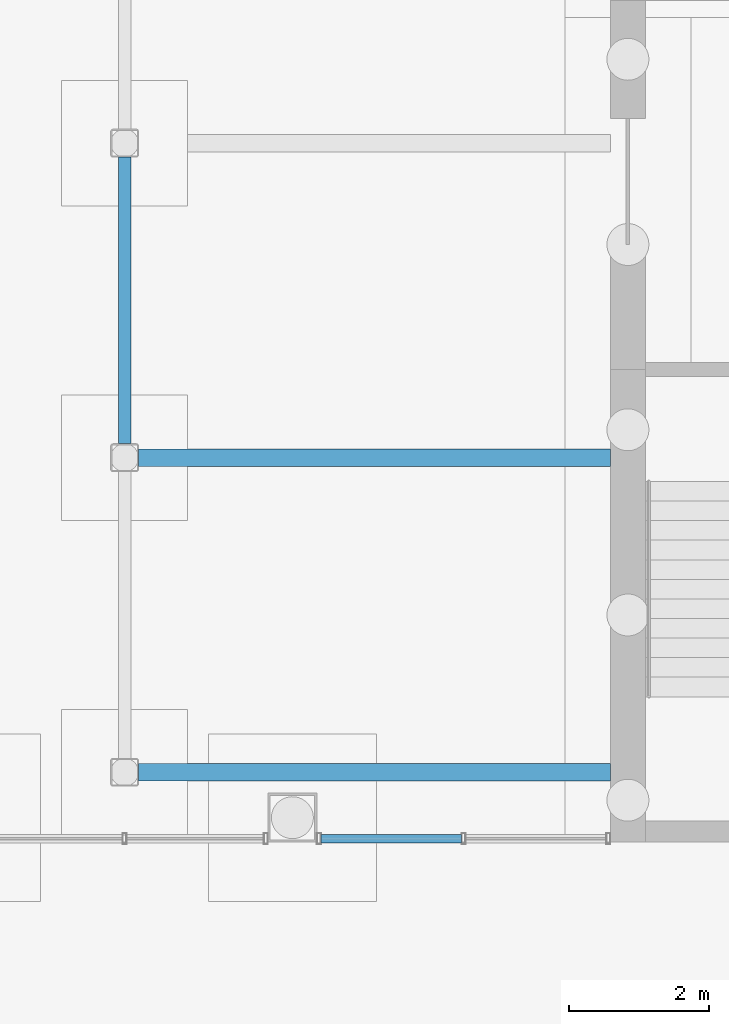
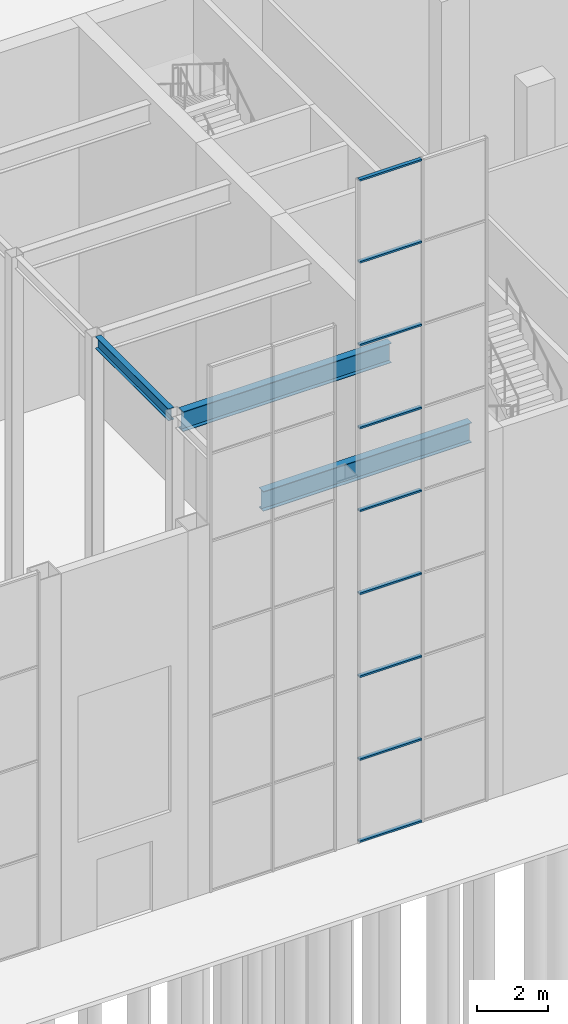
# One storey, part 32 of 58: 9 members, 3 beams, 1 element without a shape of its own.
"""IFC4 building model written with IfcOpenShell, lengths in metres."""

from ifc_helpers import new_model, si_unit, direction, frame, origin, origin_2d, place, context, subcontext, project, spatial, hollow_rectangle, i_section, extrude, material, layer, layer_set, material_profile, profile_set, type_object, element, aggregate, save


model = new_model("IFC4")

# Units and contexts
model_context = context("Model", 3, precision=1e-05, world=origin(), true_north=direction((0.0, 1.0)))
body_context = subcontext(model_context, "Body", "Model", "MODEL_VIEW")
ifc_project = project(units=[si_unit("LENGTHUNIT", "METRE"), si_unit("AREAUNIT", "SQUARE_METRE"), si_unit("VOLUMEUNIT", "CUBIC_METRE"), si_unit("PLANEANGLEUNIT", "RADIAN"), si_unit("MASSUNIT", "GRAM", prefix="KILO")], contexts=[model_context])

# Site, building, storey
site_placement = place(None, origin())
site = spatial("IfcSite", under=ifc_project, at=site_placement, CompositionType="ELEMENT")
building_placement = place(site_placement, origin())
building = spatial("IfcBuilding", under=site, at=building_placement, Name="Baori Bourse Tower", CompositionType="ELEMENT")
storey_placement = place(building_placement, origin())
storey = spatial("IfcBuildingStorey", under=building, at=storey_placement, Name="L00", CompositionType="ELEMENT", Elevation=0.0)

# Beams
ifc_material_1 = material(Name="Steel A992 Gr 50", Category="steel")
ifc_material_profile_1 = material_profile(ifc_material_1, i_section(OverallWidth=0.177734375, OverallDepth=0.406494140625, WebThickness=0.0078125, FlangeThickness=0.012939453125, at=origin_2d()), Name="W16x40")
ifc_profile_set_1 = profile_set([ifc_material_profile_1], Name="Steel A992 Gr 50")
beam_type_1 = type_object("IfcBeamType", Name="Wing beam W16x40", PredefinedType="BEAM", material=ifc_profile_set_1)
beam_placement = place(storey_placement, frame((50.39990234375, -19.5, 12.19677734375), z_axis=(0.0, 1.0, 0.0), x_axis=(-1.0, 0.0, 0.0)))
element("IfcBeam", 1, at=beam_placement, inside=storey, type_object=beam_type_1, Name="wing/L00/galbeam/014", PredefinedType="BEAM", context=body_context, shape_type="SweptSolid", body=[
    extrude(i_section(OverallWidth=0.177734375, OverallDepth=0.406494140625, WebThickness=0.0078125, FlangeThickness=0.012939453125, at=origin_2d()), origin(), (0.0, 0.0, 1.0), 4.10009765625),
])
ifc_material_2 = material(Name="Steel A992 Gr 50", Category="steel")
ifc_material_profile_2 = material_profile(ifc_material_2, i_section(OverallWidth=0.25390625, OverallDepth=0.67822265625, WebThickness=0.01171875, FlangeThickness=0.016357421875, at=origin_2d()), Name="W27x84")
ifc_profile_set_2 = profile_set([ifc_material_profile_2], Name="Steel A992 Gr 50")
beam_type_2 = type_object("IfcBeamType", Name="Wing beam W27x84", PredefinedType="BEAM", material=ifc_profile_set_2)
for number, where, z_axis, x_axis, name in (
    (2, (57.35009765625, -24.199951171875, 12.060791015625), (-1.0, 0.0, 0.0), (0.0, -1.0, 0.0), "wing/L00/galbeam/011"),
    (3, (57.35009765625, -19.699951171875, 12.060791015625), (-1.0, 0.0, 0.0), (0.0, -1.0, 0.0), "wing/L00/galbeam/013"),
):
    element("IfcBeam", number, at=place(storey_placement, frame(where, z_axis=z_axis, x_axis=x_axis)), inside=storey, type_object=beam_type_2, Name=name, PredefinedType="BEAM", context=body_context, shape_type="SweptSolid", body=[
        extrude(i_section(OverallWidth=0.25390625, OverallDepth=0.67822265625, WebThickness=0.01171875, FlangeThickness=0.016357421875, at=origin_2d()), origin(), (0.0, 0.0, 1.0), 6.75),
    ])

# Curtain wall, members
ifc_material_3 = material(Name="Pale anodised aluminium", Category="aluminium")
ifc_layer = layer(ifc_material_3, 0.10009765625)
ifc_layer_set = layer_set([ifc_layer], Name="Wing curtain wall")
curtain_wall_type = type_object("IfcCurtainWallType", Name="Wing curtain wall", PredefinedType="NOTDEFINED", material=ifc_layer_set)
curtain_wall_placement = place(storey_placement, origin())
curtain_wall = element("IfcCurtainWall", 4, at=curtain_wall_placement, inside=storey, type_object=curtain_wall_type, Name="wing/L00/hallcw/008", PredefinedType="NOTDEFINED")
ifc_material_4 = material(Name="Pale anodised aluminium", Category="aluminium")
ifc_material_profile_3 = material_profile(ifc_material_4, hollow_rectangle(XDim=0.1201171875, YDim=0.06005859375, WallThickness=0.0048828125, at=origin_2d()), Name="Transom 120x60x5")
ifc_profile_set_3 = profile_set([ifc_material_profile_3], Name="Pale anodised aluminium")
member_type = type_object("IfcMemberType", Name="Wing transom 120x60", PredefinedType="USERDEFINED", material=ifc_profile_set_3)
member_1_placement = place(storey_placement, frame((53.2099609375, -25.14990234375, 0.030029296875), z_axis=(1.0, 0.0, 0.0), x_axis=(0.0, 1.0, 0.0)))
member_1 = element("IfcMember", 5, at=member_1_placement, type_object=member_type, Name="X12 transom 1.1", ObjectType="TRANSOM", PredefinedType="USERDEFINED", context=body_context, shape_type="SweptSolid", body=[
    extrude(hollow_rectangle(XDim=0.1201171875, YDim=0.06005859375, WallThickness=0.0048828125, at=origin_2d()), origin(), (0.0, 0.0, 1.0), 2.010009765625),
])
member_2_placement = place(storey_placement, frame((53.2099609375, -25.14990234375, 2.83740234375), z_axis=(1.0, 0.0, 0.0), x_axis=(0.0, 1.0, 0.0)))
member_2 = element("IfcMember", 6, at=member_2_placement, type_object=member_type, Name="X12 transom 1.2", ObjectType="TRANSOM", PredefinedType="USERDEFINED", context=body_context, shape_type="SweptSolid", body=[
    extrude(hollow_rectangle(XDim=0.1201171875, YDim=0.06005859375, WallThickness=0.0048828125, at=origin_2d()), origin(), (0.0, 0.0, 1.0), 2.010009765625),
])
member_3_placement = place(storey_placement, frame((53.2099609375, -25.14990234375, 5.675048828125), z_axis=(1.0, 0.0, 0.0), x_axis=(0.0, 1.0, 0.0)))
member_3 = element("IfcMember", 7, at=member_3_placement, type_object=member_type, Name="X12 transom 1.3", ObjectType="TRANSOM", PredefinedType="USERDEFINED", context=body_context, shape_type="SweptSolid", body=[
    extrude(hollow_rectangle(XDim=0.1201171875, YDim=0.06005859375, WallThickness=0.0048828125, at=origin_2d()), origin(), (0.0, 0.0, 1.0), 2.010009765625),
])
member_4_placement = place(storey_placement, frame((53.2099609375, -25.14990234375, 8.512451171875), z_axis=(1.0, 0.0, 0.0), x_axis=(0.0, 1.0, 0.0)))
member_4 = element("IfcMember", 8, at=member_4_placement, type_object=member_type, Name="X12 transom 1.4", ObjectType="TRANSOM", PredefinedType="USERDEFINED", context=body_context, shape_type="SweptSolid", body=[
    extrude(hollow_rectangle(XDim=0.1201171875, YDim=0.06005859375, WallThickness=0.0048828125, at=origin_2d()), origin(), (0.0, 0.0, 1.0), 2.010009765625),
])
member_5_placement = place(storey_placement, frame((53.2099609375, -25.14990234375, 11.35009765625), z_axis=(1.0, 0.0, 0.0), x_axis=(0.0, 1.0, 0.0)))
member_5 = element("IfcMember", 9, at=member_5_placement, type_object=member_type, Name="X12 transom 1.5", ObjectType="TRANSOM", PredefinedType="USERDEFINED", context=body_context, shape_type="SweptSolid", body=[
    extrude(hollow_rectangle(XDim=0.1201171875, YDim=0.06005859375, WallThickness=0.0048828125, at=origin_2d()), origin(), (0.0, 0.0, 1.0), 2.010009765625),
])
member_6_placement = place(storey_placement, frame((53.2099609375, -25.14990234375, 14.1875), z_axis=(1.0, 0.0, 0.0), x_axis=(0.0, 1.0, 0.0)))
member_6 = element("IfcMember", 10, at=member_6_placement, type_object=member_type, Name="X12 transom 1.6", ObjectType="TRANSOM", PredefinedType="USERDEFINED", context=body_context, shape_type="SweptSolid", body=[
    extrude(hollow_rectangle(XDim=0.1201171875, YDim=0.06005859375, WallThickness=0.0048828125, at=origin_2d()), origin(), (0.0, 0.0, 1.0), 2.010009765625),
])
member_7_placement = place(storey_placement, frame((53.2099609375, -25.14990234375, 17.02490234375), z_axis=(1.0, 0.0, 0.0), x_axis=(0.0, 1.0, 0.0)))
member_7 = element("IfcMember", 11, at=member_7_placement, type_object=member_type, Name="X12 transom 1.7", ObjectType="TRANSOM", PredefinedType="USERDEFINED", context=body_context, shape_type="SweptSolid", body=[
    extrude(hollow_rectangle(XDim=0.1201171875, YDim=0.06005859375, WallThickness=0.0048828125, at=origin_2d()), origin(), (0.0, 0.0, 1.0), 2.010009765625),
])
member_8_placement = place(storey_placement, frame((53.2099609375, -25.14990234375, 19.862548828125), z_axis=(1.0, 0.0, 0.0), x_axis=(0.0, 1.0, 0.0)))
member_8 = element("IfcMember", 12, at=member_8_placement, type_object=member_type, Name="X12 transom 1.8", ObjectType="TRANSOM", PredefinedType="USERDEFINED", context=body_context, shape_type="SweptSolid", body=[
    extrude(hollow_rectangle(XDim=0.1201171875, YDim=0.06005859375, WallThickness=0.0048828125, at=origin_2d()), origin(), (0.0, 0.0, 1.0), 2.010009765625),
])
member_9_placement = place(storey_placement, frame((53.2099609375, -25.14990234375, 22.669921875), z_axis=(1.0, 0.0, 0.0), x_axis=(0.0, 1.0, 0.0)))
member_9 = element("IfcMember", 13, at=member_9_placement, type_object=member_type, Name="X12 transom 1.9", ObjectType="TRANSOM", PredefinedType="USERDEFINED", context=body_context, shape_type="SweptSolid", body=[
    extrude(hollow_rectangle(XDim=0.1201171875, YDim=0.06005859375, WallThickness=0.0048828125, at=origin_2d()), origin(), (0.0, 0.0, 1.0), 2.010009765625),
])
aggregate(curtain_wall, [member_1, member_2, member_3, member_4, member_5, member_6, member_7, member_8, member_9])

save(model, "model.ifc")
